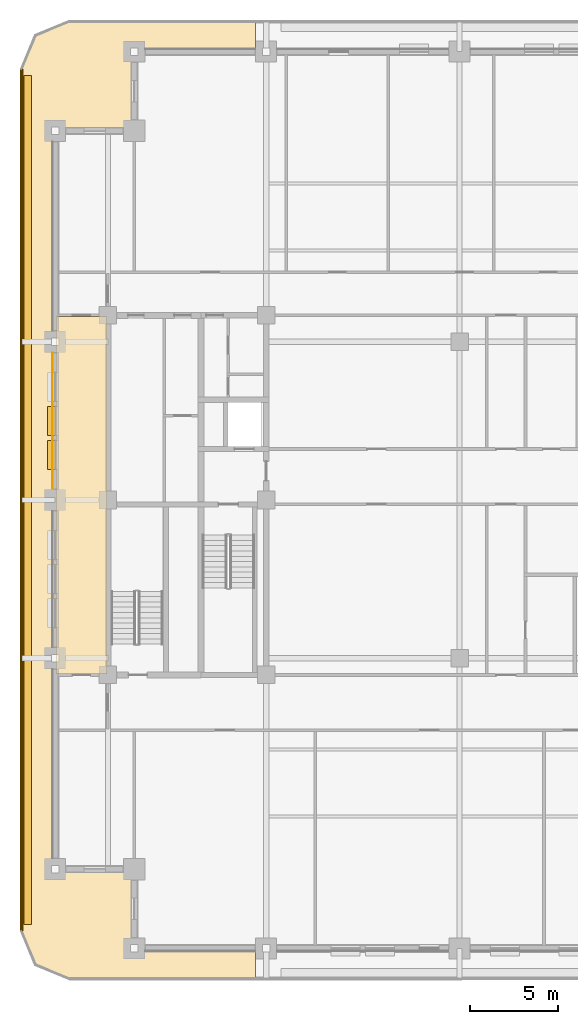
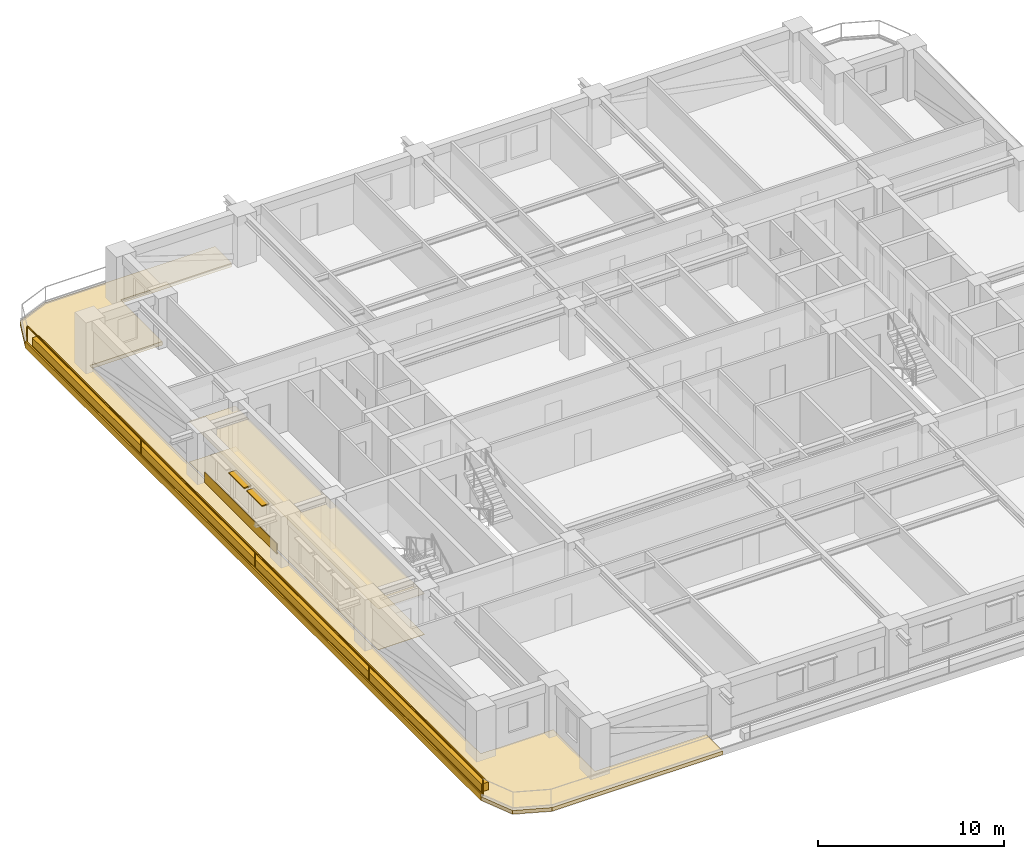
# One storey, part 10 of 14: 6 coverings, 2 shading devices, 1 railing.
"""IFC4 building model written with IfcOpenShell, lengths in metres."""

from ifc_helpers import new_model, si_unit, direction, frame, frame_2d, origin, origin_2d, place, context, subcontext, project, spatial, polyline, rectangle, outline, extrude, material, layer, layer_set, type_object, element, save


model = new_model("IFC4")

# Units and contexts
model_context = context("Model", 3, precision=1e-05, world=origin(), true_north=direction((0.0, 1.0)))
body_context = subcontext(model_context, "Body", "Model", "MODEL_VIEW")
ifc_project = project(units=[si_unit("LENGTHUNIT", "METRE"), si_unit("AREAUNIT", "SQUARE_METRE"), si_unit("VOLUMEUNIT", "CUBIC_METRE"), si_unit("PLANEANGLEUNIT", "RADIAN"), si_unit("MASSUNIT", "GRAM", prefix="KILO")], contexts=[model_context])

# Site, building, storey
site_placement = place(None, origin())
site = spatial("IfcSite", under=ifc_project, at=site_placement, CompositionType="ELEMENT")
building_placement = place(site_placement, origin())
building = spatial("IfcBuilding", under=site, at=building_placement, Name="Zulmaris Gate Convention Tower", CompositionType="ELEMENT")
storey_placement = place(building_placement, frame((0.0, 0.0, 102.06982421875)))
storey = spatial("IfcBuildingStorey", under=building, at=storey_placement, Name="L25", CompositionType="ELEMENT", Elevation=102.06982421875)

# Coverings
ifc_material_1 = material(Name="Precast concrete C40/50", Category="concrete")
ifc_layer_1 = layer(ifc_material_1, 0.0400390625, Name="Precast concrete C40/50")
ifc_layer_set_1 = layer_set([ifc_layer_1], Name="Precast concrete C40/50")
covering_type_1 = type_object("IfcCoveringType", Name="CLAD-SPANDREL-PRECAST", PredefinedType="CLADDING", material=ifc_layer_set_1)
covering_1_placement = place(storey_placement, frame((-23.14990234375, 8.3701171875, 0.0), z_axis=(0.0, 0.0, 1.0), x_axis=(0.0, -1.0, 0.0)))
element("IfcCovering", 1, at=covering_1_placement, inside=storey, type_object=covering_type_1, Name="CLD-L25-W-2_0", PredefinedType="CLADDING", context=body_context, shape_type="SweptSolid", body=[
    extrude(rectangle(XDim=7.740234375, YDim=0.0400390625, at=frame_2d((3.8701171875, 0.0))), origin(), (0.0, 0.0, 1.0), 0.679931640625),
])
ifc_material_2 = material(Name="White Glazed Architectural Precast Concrete C40/50", Category="concrete")
ifc_layer_2 = layer(ifc_material_2, 0.239990234375, Name="White Glazed Architectural Precast Concrete C40/50")
ifc_layer_set_2 = layer_set([ifc_layer_2], Name="White Glazed Architectural Precast Concrete C40/50")
covering_type_2 = type_object("IfcCoveringType", Name="CLAD-TRAY-DECK", PredefinedType="CLADDING", material=ifc_layer_set_2)
covering_2_placement = place(storey_placement, frame((0.0, 0.0, -0.27490234375)))
element("IfcCovering", 2, at=covering_2_placement, inside=storey, type_object=covering_type_2, Name="L25 West Rounded-Fascia Planter Tray Deck", PredefinedType="CLADDING", context=body_context, shape_type="SweptSolid", body=[
    extrude(outline(polyline([(-25.0, 24.5), (-24.179931640625, 26.47998046875), (-22.199951171875, 27.300048828125), (-11.60205078125, 27.300048828125), (-11.60205078125, 25.5), (-18.5, 25.5), (-18.5, 21.0), (-23.0, 21.0), (-23.0, -21.0), (-18.5, -21.0), (-18.5, -25.5), (-11.60205078125, -25.5), (-11.60205078125, -27.300048828125), (-22.199951171875, -27.300048828125), (-24.179931640625, -26.47998046875), (-25.0, -24.5), (-25.0, 24.5)])), origin(), (0.0, 0.0, 1.0), 0.239990234375),
])
ifc_layer_3 = layer(ifc_material_2, 0.080078125, Name="White Glazed Architectural Precast Concrete C40/50")
ifc_layer_set_3 = layer_set([ifc_layer_3], Name="White Glazed Architectural Precast Concrete C40/50")
covering_type_3 = type_object("IfcCoveringType", Name="CLAD-TRAY-FASCIA", PredefinedType="CLADDING", material=ifc_layer_set_3)
covering_3_placement = place(storey_placement, frame((-24.9599609375, 24.5, -0.31494140625), z_axis=(0.0, 0.0, 1.0), x_axis=(0.0, -1.0, 0.0)))
element("IfcCovering", 3, at=covering_3_placement, inside=storey, type_object=covering_type_3, Name="FSC-L25-TR-11", PredefinedType="CLADDING", context=body_context, shape_type="SweptSolid", body=[
    extrude(rectangle(XDim=49.0, YDim=0.080078125, at=frame_2d((24.5, 0.0))), origin(), (0.0, 0.0, 1.0), 0.43994140625),
])
ifc_material_3 = material(Name="Mineral Fibre Acoustic Ceiling Tile")
ifc_layer_4 = layer(ifc_material_3, 0.02001953125, Name="Mineral Fibre Acoustic Ceiling Tile")
ifc_layer_set_4 = layer_set([ifc_layer_4], Name="Mineral Fibre Acoustic Ceiling Tile")
covering_type_4 = type_object("IfcCoveringType", Name="CLG-ACOUSTIC-600", PredefinedType="CEILING", material=ifc_layer_set_4)
covering_4_placement = place(storey_placement, frame((0.0, 0.0, 2.68017578125)))
element("IfcCovering", 4, at=covering_4_placement, inside=storey, type_object=covering_type_4, Name="CLG-L25-R55", PredefinedType="CEILING", context=body_context, shape_type="SweptSolid", body=[
    extrude(outline(polyline([(-22.93994140625, -9.889892578125), (-20.06005859375, -9.889892578125), (-20.06005859375, 10.43994140625), (-22.93994140625, 10.43994140625), (-22.93994140625, -9.889892578125)])), origin(), (0.0, 0.0, 1.0), 0.02001953125),
])
ifc_material_4 = material(Name="Woven Acoustic Wool Carpet Tile")
ifc_layer_5 = layer(ifc_material_4, 0.02001953125, Name="Woven Acoustic Wool Carpet Tile")
ifc_layer_set_5 = layer_set([ifc_layer_5], Name="Woven Acoustic Wool Carpet Tile")
covering_type_5 = type_object("IfcCoveringType", Name="FLR-CARPET-12", PredefinedType="FLOORING", material=ifc_layer_set_5)
covering_5_placement = place(storey_placement, origin())
element("IfcCovering", 5, at=covering_5_placement, inside=storey, type_object=covering_type_5, Name="FLR-L25-R55", PredefinedType="FLOORING", context=body_context, shape_type="SweptSolid", body=[
    extrude(outline(polyline([(-22.93994140625, -9.889892578125), (-20.06005859375, -9.889892578125), (-20.06005859375, 10.43994140625), (-22.93994140625, 10.43994140625), (-22.93994140625, -9.889892578125)])), origin(), (0.0, 0.0, 1.0), 0.02001953125),
])
ifc_material_5 = material(Name="Botanical Green Glazed Precast Concrete C40/50", Category="concrete")
ifc_layer_6 = layer(ifc_material_5, 0.419921875, Name="Botanical Green Glazed Precast Concrete C40/50")
ifc_layer_set_6 = layer_set([ifc_layer_6], Name="Botanical Green Glazed Precast Concrete C40/50")
covering_type_6 = type_object("IfcCoveringType", Name="PLANTER-BOX-200", PredefinedType="CLADDING", material=ifc_layer_set_6)
covering_6_placement = place(storey_placement, frame((0.0, 0.0, -0.034912109375)))
element("IfcCovering", 6, at=covering_6_placement, inside=storey, type_object=covering_type_6, Name="L25 W Full-Length Balcony Tree Planter Trough", PredefinedType="CLADDING", context=body_context, shape_type="SweptSolid", body=[
    extrude(outline(polyline([(-24.760009765625, -24.14990234375), (-24.340087890625, -24.14990234375), (-24.340087890625, 24.14990234375), (-24.760009765625, 24.14990234375), (-24.760009765625, -24.14990234375)])), origin(), (0.0, 0.0, 1.0), 0.519775390625),
])

# Railing
ifc_material_6 = material(Name="Laminated Glass and Stainless Steel", Category="steel")
railing_type = type_object("IfcRailingType", Name="RL-BALC-1150", PredefinedType="BALUSTRADE", material=ifc_material_6)
railing_placement = place(storey_placement, frame((-24.8798828125, 24.5, -0.034912109375)))
element("IfcRailing", 7, at=railing_placement, inside=storey, type_object=railing_type, Name="RL-L25-BALC-W", PredefinedType="BALUSTRADE", context=body_context, shape_type="SweptSolid", body=[
    extrude(rectangle(XDim=0.048095703125, YDim=0.048095703125, at=origin_2d()), frame((0.0, 0.0, 1.1259765625), z_axis=(0.0, -1.0, 0.0), x_axis=(1.0, 0.0, 0.0)), (0.0, 0.0, 1.0), 49.0),
    extrude(rectangle(XDim=0.048095703125, YDim=0.048095703125, at=origin_2d()), frame((0.0, 0.0, 0.02392578125), z_axis=(0.0, -1.0, 0.0), x_axis=(1.0, 0.0, 0.0)), (0.0, 0.0, 1.0), 49.0),
    extrude(rectangle(XDim=0.0419921875, YDim=0.0419921875, at=origin_2d()), origin(), (0.0, 0.0, 1.0), 1.101806640625),
    extrude(rectangle(XDim=0.0419921875, YDim=0.0419921875, at=origin_2d()), frame((0.0, -12.25, 0.0)), (0.0, 0.0, 1.0), 1.101806640625),
    extrude(rectangle(XDim=0.0419921875, YDim=0.0419921875, at=origin_2d()), frame((0.0, -24.5, 0.0)), (0.0, 0.0, 1.0), 1.101806640625),
    extrude(rectangle(XDim=0.0419921875, YDim=0.0419921875, at=origin_2d()), frame((0.0, -36.75, 0.0)), (0.0, 0.0, 1.0), 1.101806640625),
    extrude(rectangle(XDim=0.0419921875, YDim=0.0419921875, at=origin_2d()), frame((0.0, -49.0, 0.0)), (0.0, 0.0, 1.0), 1.101806640625),
])

# Shading devices
ifc_material_7 = material(Name="Glazed Ceramic Terracotta", Category="masonry")
ifc_layer_7 = layer(ifc_material_7, 0.070068359375, Name="Glazed Ceramic Terracotta")
ifc_layer_set_7 = layer_set([ifc_layer_7], Name="Glazed Ceramic Terracotta")
shading_device_type = type_object("IfcShadingDeviceType", Name="SHD-SUNSHADE-TC", PredefinedType="AWNING", material=ifc_layer_set_7)
for number, where, z_axis, x_axis, name in (
    (8, (-23.219970703125, 5.324951171875, 2.530029296875), (0.0, 0.0, 1.0), (0.0, -1.0, 0.0), "SHD-EW-L25-W-2_0-2"),
    (9, (-23.219970703125, 3.389892578125, 2.530029296875), (0.0, 0.0, 1.0), (0.0, -1.0, 0.0), "SHD-EW-L25-W-2_0-3"),
):
    element("IfcShadingDevice", number, at=place(storey_placement, frame(where, z_axis=z_axis, x_axis=x_axis)), inside=storey, type_object=shading_device_type, Name=name, PredefinedType="AWNING", context=body_context, shape_type="SweptSolid", body=[
        extrude(rectangle(XDim=1.64990234375, YDim=0.43994140625, at=frame_2d((0.824951171875, 0.0))), origin(), (0.0, 0.0, 1.0), 0.070068359375),
    ])

save(model, "model.ifc")
